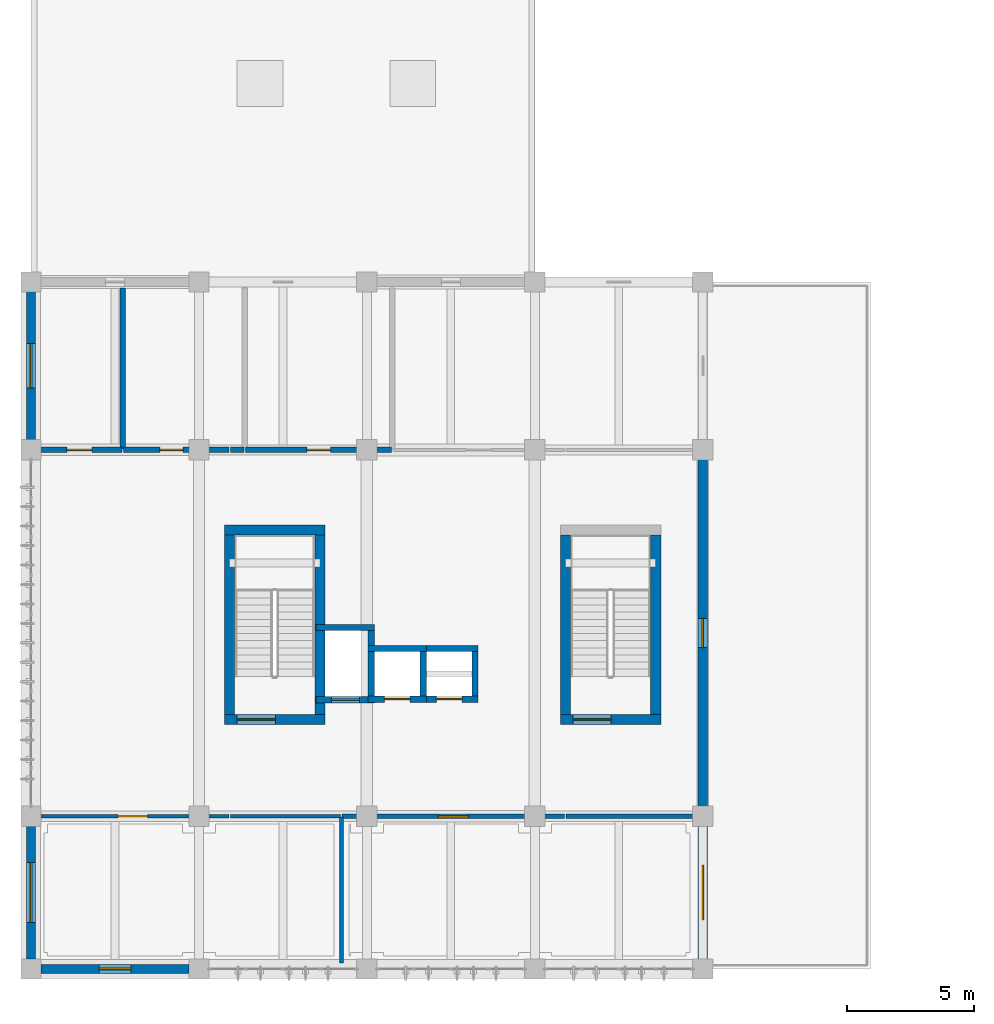
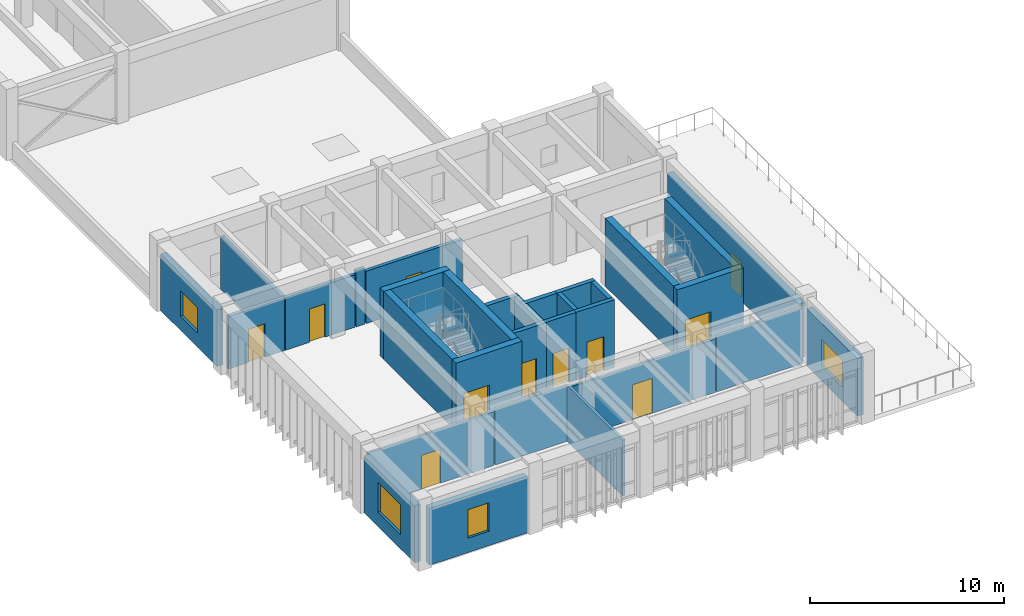
# One storey, part 14 of 18: 31 walls, 11 doors, 4 windows, 15 openings.
"""IFC4 building model written with IfcOpenShell, lengths in metres."""

from ifc_helpers import new_model, si_unit, direction, frame, frame_2d, origin, place, context, subcontext, project, spatial, rectangle, extrude, material, layer, layer_set, type_object, element, fill, save


model = new_model("IFC4")

# Units and contexts
model_context = context("Model", 3, precision=1e-05, world=origin(), true_north=direction((0.0, 1.0)))
body_context = subcontext(model_context, "Body", "Model", "MODEL_VIEW")
ifc_project = project(units=[si_unit("LENGTHUNIT", "METRE"), si_unit("AREAUNIT", "SQUARE_METRE"), si_unit("VOLUMEUNIT", "CUBIC_METRE"), si_unit("PLANEANGLEUNIT", "RADIAN"), si_unit("MASSUNIT", "GRAM", prefix="KILO")], contexts=[model_context])

# Site, building, storey
site_placement = place(None, origin())
site = spatial("IfcSite", under=ifc_project, at=site_placement, CompositionType="ELEMENT")
building_placement = place(site_placement, origin())
building = spatial("IfcBuilding", under=site, at=building_placement, Name="Miralva Faculty of Natural Sciences", CompositionType="ELEMENT")
storey_placement = place(building_placement, frame((0.0, 0.0, 28.5)))
storey = spatial("IfcBuildingStorey", under=building, at=storey_placement, Name="L06", CompositionType="ELEMENT", Elevation=28.5)

# Wall, opening, door
ifc_material_1 = material(Name="Concrete C50/60", Category="concrete")
ifc_layer_1 = layer(ifc_material_1, 0.39990234375, Name="WL-CW01")
ifc_layer_set_1 = layer_set([ifc_layer_1], Name="Concrete C50/60")
wall_type_1 = type_object("IfcWallType", Name="WL-CW01", PredefinedType="SHEAR", material=ifc_layer_set_1)
wall_1_placement = place(storey_placement, frame((10.60009765625, 12.800048828125, 0.0), z_axis=(0.0, 0.0, 1.0), x_axis=(1.0, 0.0, 0.0)))
wall_1 = element("IfcWall", 1, at=wall_1_placement, inside=storey, type_object=wall_type_1, Name="Core C1 shear wall south L06", PredefinedType="SHEAR", context=body_context, shape_type="SweptSolid", body=[
    extrude(rectangle(XDim=3.949951171875, YDim=0.39990234375, at=frame_2d((1.97509765625, 0.0))), origin(), (0.0, 0.0, 1.0), 4.280029296875),
])
opening_1_placement = place(wall_1_placement, frame((0.5, 0.0, 0.0)))
opening_1 = element("IfcOpeningElement", 2, at=opening_1_placement, cuts=wall_1, Name="Opening D-11", PredefinedType="OPENING", context=body_context, shape_type="SweptSolid", body=[
    extrude(rectangle(XDim=1.5, YDim=2.199951171875, at=frame_2d((0.75, 1.10009765625))), frame((0.0, 0.2099609375, 0.0), z_axis=(0.0, -1.0, 0.0), x_axis=(1.0, 0.0, 0.0)), (0.0, 0.0, 1.0), 0.419921875),
])
ifc_material_2 = material(Name="Galvanised steel", Category="steel")
door_type_1 = type_object("IfcDoorType", Name="DR-DI11", OperationType="DOUBLE_DOOR_SINGLE_SWING", PredefinedType="DOOR", material=ifc_material_2)
door_1_placement = place(opening_1_placement, frame((1.5, 0.0, 0.0), z_axis=(0.0, 0.0, 1.0), x_axis=(-1.0, 0.0, 0.0)))
door_1 = element("IfcDoor", 3, at=door_1_placement, inside=storey, type_object=door_type_1, Name="Protected exit stair door Core C1 L06", OperationType="DOUBLE_DOOR_SINGLE_SWING", OverallHeight=2.199951171875, OverallWidth=1.5, PredefinedType="DOOR", context=body_context, shape_type="SweptSolid", body=[
    extrude(rectangle(XDim=1.5, YDim=2.199951171875, at=frame_2d((0.75, 1.10009765625))), frame((0.0, 0.02490234375, 0.0), z_axis=(0.0, -1.0, 0.0), x_axis=(1.0, 0.0, 0.0)), (0.0, 0.0, 1.0), 0.050048828125),
])
fill(opening_1, door_1)

# Walls
wall_2_placement = place(storey_placement, frame((10.60009765625, 20.25, 0.0), z_axis=(0.0, 0.0, 1.0), x_axis=(1.0, 0.0, 0.0)))
element("IfcWall", 4, at=wall_2_placement, inside=storey, type_object=wall_type_1, Name="Core C1 shear wall north L06", PredefinedType="SHEAR", context=body_context, shape_type="SweptSolid", body=[
    extrude(rectangle(XDim=3.949951171875, YDim=0.39990234375, at=frame_2d((1.97509765625, 0.0))), origin(), (0.0, 0.0, 1.0), 4.280029296875),
])
for number, where, z_axis, x_axis, name in (
    (5, (10.800048828125, 13.0, 0.0), (0.0, 0.0, 1.0), (0.0, 1.0, 0.0), "Core C1 shear wall west L06"),
    (6, (14.35009765625, 13.0, 0.0), (0.0, 0.0, 1.0), (0.0, 1.0, 0.0), "Core C1 shear wall east L06"),
):
    element("IfcWall", number, at=place(storey_placement, frame(where, z_axis=z_axis, x_axis=x_axis)), inside=storey, type_object=wall_type_1, Name=name, PredefinedType="SHEAR", context=body_context, shape_type="SweptSolid", body=[
        extrude(rectangle(XDim=7.050048828125, YDim=0.39990234375, at=frame_2d((3.52490234375, 0.0))), origin(), (0.0, 0.0, 1.0), 4.280029296875),
    ])

# Wall, opening, door
wall_3_placement = place(storey_placement, frame((23.800048828125, 12.800048828125, 0.0), z_axis=(0.0, 0.0, 1.0), x_axis=(1.0, 0.0, 0.0)))
wall_3 = element("IfcWall", 7, at=wall_3_placement, inside=storey, type_object=wall_type_1, Name="Core C1B shear wall south L06", PredefinedType="SHEAR", context=body_context, shape_type="SweptSolid", body=[
    extrude(rectangle(XDim=3.949951171875, YDim=0.39990234375, at=frame_2d((1.97509765625, 0.0))), origin(), (0.0, 0.0, 1.0), 4.280029296875),
])
opening_2_placement = place(wall_3_placement, frame((0.5, 0.0, 0.0)))
opening_2 = element("IfcOpeningElement", 8, at=opening_2_placement, cuts=wall_3, Name="Opening D-11", PredefinedType="OPENING", context=body_context, shape_type="SweptSolid", body=[
    extrude(rectangle(XDim=1.5, YDim=2.199951171875, at=frame_2d((0.75, 1.10009765625))), frame((0.0, 0.2099609375, 0.0), z_axis=(0.0, -1.0, 0.0), x_axis=(1.0, 0.0, 0.0)), (0.0, 0.0, 1.0), 0.419921875),
])
door_2_placement = place(opening_2_placement, frame((1.5, 0.0, 0.0), z_axis=(0.0, 0.0, 1.0), x_axis=(-1.0, 0.0, 0.0)))
door_2 = element("IfcDoor", 9, at=door_2_placement, inside=storey, type_object=door_type_1, Name="Protected exit stair door Core C1B L06", OperationType="DOUBLE_DOOR_SINGLE_SWING", OverallHeight=2.199951171875, OverallWidth=1.5, PredefinedType="DOOR", context=body_context, shape_type="SweptSolid", body=[
    extrude(rectangle(XDim=1.5, YDim=2.199951171875, at=frame_2d((0.75, 1.10009765625))), frame((0.0, 0.02490234375, 0.0), z_axis=(0.0, -1.0, 0.0), x_axis=(1.0, 0.0, 0.0)), (0.0, 0.0, 1.0), 0.050048828125),
])
fill(opening_2, door_2)

# Walls
for number, where, z_axis, x_axis, name in (
    (10, (24.0, 13.0, 0.0), (0.0, 0.0, 1.0), (0.0, 1.0, 0.0), "Core C1B shear wall west L06"),
    (11, (27.550048828125, 13.0, 0.0), (0.0, 0.0, 1.0), (0.0, 1.0, 0.0), "Core C1B shear wall east L06"),
):
    element("IfcWall", number, at=place(storey_placement, frame(where, z_axis=z_axis, x_axis=x_axis)), inside=storey, type_object=wall_type_1, Name=name, PredefinedType="SHEAR", context=body_context, shape_type="SweptSolid", body=[
        extrude(rectangle(XDim=7.050048828125, YDim=0.39990234375, at=frame_2d((3.52490234375, 0.0))), origin(), (0.0, 0.0, 1.0), 4.280029296875),
    ])

# Wall, opening, door
ifc_material_3 = material(Name="Concrete C40/50", Category="concrete")
ifc_layer_2 = layer(ifc_material_3, 0.25, Name="WL-CW04")
ifc_layer_set_2 = layer_set([ifc_layer_2], Name="Concrete C40/50")
wall_type_2 = type_object("IfcWallType", Name="WL-CW04", PredefinedType="SHEAR", material=ifc_layer_set_2)
wall_4_placement = place(storey_placement, frame((14.205078125, 13.580078125, 0.0), z_axis=(0.0, 0.0, 1.0), x_axis=(1.0, 0.0, 0.0)))
wall_4 = element("IfcWall", 12, at=wall_4_placement, inside=storey, type_object=wall_type_2, Name="Lift L-01 hoistway front wall L06", PredefinedType="SHEAR", context=body_context, shape_type="SweptSolid", body=[
    extrude(rectangle(XDim=2.2900390625, YDim=0.25, at=frame_2d((1.14501953125, 0.0))), origin(), (0.0, 0.0, 1.0), 4.260009765625),
])
opening_3_placement = place(wall_4_placement, frame((0.594970703125, 0.0, 0.0)))
opening_3 = element("IfcOpeningElement", 13, at=opening_3_placement, cuts=wall_4, Name="Opening LD-01", PredefinedType="OPENING", context=body_context, shape_type="SweptSolid", body=[
    extrude(rectangle(XDim=1.10009765625, YDim=2.199951171875, at=frame_2d((0.550048828125, 1.10009765625))), frame((0.0, 0.135009765625, 0.0), z_axis=(0.0, -1.0, 0.0), x_axis=(1.0, 0.0, 0.0)), (0.0, 0.0, 1.0), 0.27001953125),
])
door_type_2 = type_object("IfcDoorType", Name="DR-LD01", OperationType="SLIDING_TO_LEFT", PredefinedType="DOOR", material=ifc_material_2)
door_3_placement = place(opening_3_placement, frame((1.10009765625, 0.0, 0.0), z_axis=(0.0, 0.0, 1.0), x_axis=(-1.0, 0.0, 0.0)))
door_3 = element("IfcDoor", 14, at=door_3_placement, inside=storey, type_object=door_type_2, Name="Lift L-01 sliding landing door L06", OperationType="SLIDING_TO_LEFT", OverallHeight=2.199951171875, OverallWidth=1.10009765625, PredefinedType="DOOR", context=body_context, shape_type="SweptSolid", body=[
    extrude(rectangle(XDim=1.10009765625, YDim=2.199951171875, at=frame_2d((0.550048828125, 1.10009765625))), frame((0.0, 0.02490234375, 0.0), z_axis=(0.0, -1.0, 0.0), x_axis=(1.0, 0.0, 0.0)), (0.0, 0.0, 1.0), 0.050048828125),
])
fill(opening_3, door_3)

# Walls
wall_5_placement = place(storey_placement, frame((14.205078125, 16.419921875, 0.0), z_axis=(0.0, 0.0, 1.0), x_axis=(1.0, 0.0, 0.0)))
element("IfcWall", 15, at=wall_5_placement, inside=storey, type_object=wall_type_2, Name="Lift L-01 hoistway rear wall L06", PredefinedType="SHEAR", context=body_context, shape_type="SweptSolid", body=[
    extrude(rectangle(XDim=2.2900390625, YDim=0.25, at=frame_2d((1.14501953125, 0.0))), origin(), (0.0, 0.0, 1.0), 4.260009765625),
])
wall_6_placement = place(storey_placement, frame((16.3701171875, 13.705078125, 0.0), z_axis=(0.0, 0.0, 1.0), x_axis=(0.0, 1.0, 0.0)))
element("IfcWall", 16, at=wall_6_placement, inside=storey, type_object=wall_type_2, Name="Lift L-01 hoistway E wall L06", PredefinedType="SHEAR", context=body_context, shape_type="SweptSolid", body=[
    extrude(rectangle(XDim=2.58984375, YDim=0.25, at=frame_2d((1.294921875, 0.0))), origin(), (0.0, 0.0, 1.0), 4.260009765625),
])

# Wall, opening, door
wall_7_placement = place(storey_placement, frame((16.2451171875, 13.60498046875, 0.0), z_axis=(0.0, 0.0, 1.0), x_axis=(1.0, 0.0, 0.0)))
wall_7 = element("IfcWall", 17, at=wall_7_placement, inside=storey, type_object=wall_type_2, Name="Lift L-02 hoistway front wall L06", PredefinedType="SHEAR", context=body_context, shape_type="SweptSolid", body=[
    extrude(rectangle(XDim=2.289794921875, YDim=0.25, at=frame_2d((1.14501953125, 0.0))), origin(), (0.0, 0.0, 1.0), 4.260009765625),
])
opening_4_placement = place(wall_7_placement, frame((0.64501953125, 0.0, 0.0)))
opening_4 = element("IfcOpeningElement", 18, at=opening_4_placement, cuts=wall_7, Name="Opening LD-02", PredefinedType="OPENING", context=body_context, shape_type="SweptSolid", body=[
    extrude(rectangle(XDim=1.0, YDim=2.14990234375, at=frame_2d((0.5, 1.074951171875))), frame((0.0, 0.135009765625, 0.0), z_axis=(0.0, -1.0, 0.0), x_axis=(1.0, 0.0, 0.0)), (0.0, 0.0, 1.0), 0.27001953125),
])
door_type_3 = type_object("IfcDoorType", Name="DR-LD02", OperationType="SLIDING_TO_LEFT", PredefinedType="DOOR", material=ifc_material_2)
door_4_placement = place(opening_4_placement, frame((1.0, 0.0, 0.0), z_axis=(0.0, 0.0, 1.0), x_axis=(-1.0, 0.0, 0.0)))
door_4 = element("IfcDoor", 19, at=door_4_placement, inside=storey, type_object=door_type_3, Name="Lift L-02 sliding landing door L06", OperationType="SLIDING_TO_LEFT", OverallHeight=2.14990234375, OverallWidth=1.0, PredefinedType="DOOR", context=body_context, shape_type="SweptSolid", body=[
    extrude(rectangle(XDim=1.0, YDim=2.14990234375, at=frame_2d((0.5, 1.074951171875))), frame((0.0, 0.02490234375, 0.0), z_axis=(0.0, -1.0, 0.0), x_axis=(1.0, 0.0, 0.0)), (0.0, 0.0, 1.0), 0.050048828125),
])
fill(opening_4, door_4)

# Walls
wall_8_placement = place(storey_placement, frame((16.2451171875, 15.594970703125, 0.0), z_axis=(0.0, 0.0, 1.0), x_axis=(1.0, 0.0, 0.0)))
element("IfcWall", 20, at=wall_8_placement, inside=storey, type_object=wall_type_2, Name="Lift L-02 hoistway rear wall L06", PredefinedType="SHEAR", context=body_context, shape_type="SweptSolid", body=[
    extrude(rectangle(XDim=2.289794921875, YDim=0.25, at=frame_2d((1.14501953125, 0.0))), origin(), (0.0, 0.0, 1.0), 4.260009765625),
])
wall_9_placement = place(storey_placement, frame((18.409912109375, 13.72998046875, 0.0), z_axis=(0.0, 0.0, 1.0), x_axis=(0.0, 1.0, 0.0)))
element("IfcWall", 21, at=wall_9_placement, inside=storey, type_object=wall_type_2, Name="Lift L-02 hoistway E wall L06", PredefinedType="SHEAR", context=body_context, shape_type="SweptSolid", body=[
    extrude(rectangle(XDim=1.739990234375, YDim=0.25, at=frame_2d((0.8701171875, 0.0))), origin(), (0.0, 0.0, 1.0), 4.260009765625),
])

# Wall, opening, door
wall_10_placement = place(storey_placement, frame((18.284912109375, 13.60498046875, 0.0), z_axis=(0.0, 0.0, 1.0), x_axis=(1.0, 0.0, 0.0)))
wall_10 = element("IfcWall", 22, at=wall_10_placement, inside=storey, type_object=wall_type_2, Name="Lift L-03 hoistway front wall L06", PredefinedType="SHEAR", context=body_context, shape_type="SweptSolid", body=[
    extrude(rectangle(XDim=2.2900390625, YDim=0.25, at=frame_2d((1.14501953125, 0.0))), origin(), (0.0, 0.0, 1.0), 4.260009765625),
])
opening_5_placement = place(wall_10_placement, frame((0.64501953125, 0.0, 0.0)))
opening_5 = element("IfcOpeningElement", 23, at=opening_5_placement, cuts=wall_10, Name="Opening LD-02", PredefinedType="OPENING", context=body_context, shape_type="SweptSolid", body=[
    extrude(rectangle(XDim=1.0, YDim=2.14990234375, at=frame_2d((0.5, 1.074951171875))), frame((0.0, 0.135009765625, 0.0), z_axis=(0.0, -1.0, 0.0), x_axis=(1.0, 0.0, 0.0)), (0.0, 0.0, 1.0), 0.27001953125),
])
door_5_placement = place(opening_5_placement, frame((1.0, 0.0, 0.0), z_axis=(0.0, 0.0, 1.0), x_axis=(-1.0, 0.0, 0.0)))
door_5 = element("IfcDoor", 24, at=door_5_placement, inside=storey, type_object=door_type_3, Name="Lift L-03 sliding landing door L06", OperationType="SLIDING_TO_LEFT", OverallHeight=2.14990234375, OverallWidth=1.0, PredefinedType="DOOR", context=body_context, shape_type="SweptSolid", body=[
    extrude(rectangle(XDim=1.0, YDim=2.14990234375, at=frame_2d((0.5, 1.074951171875))), frame((0.0, 0.02490234375, 0.0), z_axis=(0.0, -1.0, 0.0), x_axis=(1.0, 0.0, 0.0)), (0.0, 0.0, 1.0), 0.050048828125),
])
fill(opening_5, door_5)

# Walls
wall_11_placement = place(storey_placement, frame((18.284912109375, 15.594970703125, 0.0), z_axis=(0.0, 0.0, 1.0), x_axis=(1.0, 0.0, 0.0)))
element("IfcWall", 25, at=wall_11_placement, inside=storey, type_object=wall_type_2, Name="Lift L-03 hoistway rear wall L06", PredefinedType="SHEAR", context=body_context, shape_type="SweptSolid", body=[
    extrude(rectangle(XDim=2.2900390625, YDim=0.25, at=frame_2d((1.14501953125, 0.0))), origin(), (0.0, 0.0, 1.0), 4.260009765625),
])
wall_12_placement = place(storey_placement, frame((20.449951171875, 13.72998046875, 0.0), z_axis=(0.0, 0.0, 1.0), x_axis=(0.0, 1.0, 0.0)))
element("IfcWall", 26, at=wall_12_placement, inside=storey, type_object=wall_type_2, Name="Lift L-03 hoistway E wall L06", PredefinedType="SHEAR", context=body_context, shape_type="SweptSolid", body=[
    extrude(rectangle(XDim=1.739990234375, YDim=0.25, at=frame_2d((0.8701171875, 0.0))), origin(), (0.0, 0.0, 1.0), 4.260009765625),
])
ifc_material_4 = material(Name="Gypsum plasterboard")
ifc_layer_3 = layer(ifc_material_4, 0.159912109375, Name="WL-PT03")
ifc_layer_set_3 = layer_set([ifc_layer_3], Name="Gypsum plasterboard")
wall_type_3 = type_object("IfcWallType", Name="WL-PT03", PredefinedType="PARTITIONING", material=ifc_layer_set_3)
wall_13_placement = place(storey_placement, frame((15.199951171875, 3.22998046875, 0.0), z_axis=(0.0, 0.0, 1.0), x_axis=(0.0, 1.0, 0.0)))
element("IfcWall", 27, at=wall_13_placement, inside=storey, type_object=wall_type_3, Name="Interior partition PT-03 L06-488", PredefinedType="PARTITIONING", context=body_context, shape_type="SweptSolid", body=[
    extrude(rectangle(XDim=5.739990234375, YDim=0.159912109375, at=frame_2d((2.8701171875, 0.0))), origin(), (0.0, 0.0, 1.0), 3.52490234375),
])
wall_14_placement = place(storey_placement, frame((24.030029296875, 9.0, 0.0), z_axis=(0.0, 0.0, 1.0), x_axis=(1.0, 0.0, 0.0)))
element("IfcWall", 28, at=wall_14_placement, inside=storey, type_object=wall_type_3, Name="Interior partition PT-03 L06-491", PredefinedType="PARTITIONING", context=body_context, shape_type="SweptSolid", body=[
    extrude(rectangle(XDim=5.139892578125, YDim=0.159912109375, at=frame_2d((2.56982421875, 0.0))), origin(), (0.0, 0.0, 1.0), 3.52490234375),
])

# Wall, opening, door
wall_15_placement = place(storey_placement, frame((15.22998046875, 9.0, 0.0), z_axis=(0.0, 0.0, 1.0), x_axis=(1.0, 0.0, 0.0)))
wall_15 = element("IfcWall", 29, at=wall_15_placement, inside=storey, type_object=wall_type_3, Name="Interior partition PT-03 L06-492", PredefinedType="PARTITIONING", context=body_context, shape_type="SweptSolid", body=[
    extrude(rectangle(XDim=8.739990234375, YDim=0.159912109375, at=frame_2d((4.3701171875, 0.0))), origin(), (0.0, 0.0, 1.0), 3.35498046875),
])
opening_6_placement = place(wall_15_placement, frame((3.780029296875, 0.0, 0.0)))
opening_6 = element("IfcOpeningElement", 30, at=opening_6_placement, cuts=wall_15, Name="Opening D-34", PredefinedType="OPENING", context=body_context, shape_type="SweptSolid", body=[
    extrude(rectangle(XDim=1.179931640625, YDim=2.199951171875, at=frame_2d((0.58984375, 1.10009765625))), frame((0.0, 0.08984375, 0.0), z_axis=(0.0, -1.0, 0.0), x_axis=(1.0, 0.0, 0.0)), (0.0, 0.0, 1.0), 0.179931640625),
])
ifc_material_5 = material(Name="Anodised aluminium", Category="aluminium")
door_type_4 = type_object("IfcDoorType", Name="DR-DI34", OperationType="NOTDEFINED", PredefinedType="DOOR", material=ifc_material_5)
door_6_placement = place(opening_6_placement, origin())
door_6 = element("IfcDoor", 31, at=door_6_placement, inside=storey, type_object=door_type_4, Name="Interior door D-34 L06-182", OperationType="SINGLE_SWING_LEFT", OverallHeight=2.199951171875, OverallWidth=1.179931640625, PredefinedType="DOOR", context=body_context, shape_type="SweptSolid", body=[
    extrude(rectangle(XDim=1.179931640625, YDim=2.199951171875, at=frame_2d((0.58984375, 1.10009765625))), frame((0.0, 0.02490234375, 0.0), z_axis=(0.0, -1.0, 0.0), x_axis=(1.0, 0.0, 0.0)), (0.0, 0.0, 1.0), 0.050048828125),
])
fill(opening_6, door_6)

ifc_layer_4 = layer(ifc_material_4, 0.139892578125, Name="WL-PT04")
ifc_layer_set_4 = layer_set([ifc_layer_4], Name="Gypsum plasterboard")
wall_type_4 = type_object("IfcWallType", Name="WL-PT04", PredefinedType="PARTITIONING", material=ifc_layer_set_4)
wall_16_placement = place(storey_placement, frame((3.22998046875, 9.0, 0.0), z_axis=(0.0, 0.0, 1.0), x_axis=(1.0, 0.0, 0.0)))
wall_16 = element("IfcWall", 32, at=wall_16_placement, inside=storey, type_object=wall_type_4, Name="Interior partition PT-04 L06-489", PredefinedType="PARTITIONING", context=body_context, shape_type="SweptSolid", body=[
    extrude(rectangle(XDim=7.5400390625, YDim=0.139892578125, at=frame_2d((3.77001953125, 0.0))), origin(), (0.0, 0.0, 1.0), 3.4150390625),
])
opening_7_placement = place(wall_16_placement, frame((3.195068359375, 0.0, 0.0)))
opening_7 = element("IfcOpeningElement", 33, at=opening_7_placement, cuts=wall_16, Name="Opening D-24", PredefinedType="OPENING", context=body_context, shape_type="SweptSolid", body=[
    extrude(rectangle(XDim=1.14990234375, YDim=2.14990234375, at=frame_2d((0.574951171875, 1.074951171875))), frame((0.0, 0.079833984375, 0.0), z_axis=(0.0, -1.0, 0.0), x_axis=(1.0, 0.0, 0.0)), (0.0, 0.0, 1.0), 0.159912109375),
])
door_type_5 = type_object("IfcDoorType", Name="DR-DI24", OperationType="NOTDEFINED", PredefinedType="DOOR", material=ifc_material_5)
door_7_placement = place(opening_7_placement, origin())
door_7 = element("IfcDoor", 34, at=door_7_placement, inside=storey, type_object=door_type_5, Name="Interior door D-24 L06-181", OperationType="SINGLE_SWING_RIGHT", OverallHeight=2.14990234375, OverallWidth=1.14990234375, PredefinedType="DOOR", context=body_context, shape_type="SweptSolid", body=[
    extrude(rectangle(XDim=1.14990234375, YDim=2.14990234375, at=frame_2d((0.574951171875, 1.074951171875))), frame((0.0, 0.02490234375, 0.0), z_axis=(0.0, -1.0, 0.0), x_axis=(1.0, 0.0, 0.0)), (0.0, 0.0, 1.0), 0.050048828125),
])
fill(opening_7, door_7)

# Walls
wall_17_placement = place(storey_placement, frame((10.830078125, 9.0, 0.0), z_axis=(0.0, 0.0, 1.0), x_axis=(1.0, 0.0, 0.0)))
element("IfcWall", 35, at=wall_17_placement, inside=storey, type_object=wall_type_4, Name="Interior partition PT-04 L06-490", PredefinedType="PARTITIONING", context=body_context, shape_type="SweptSolid", body=[
    extrude(rectangle(XDim=4.33984375, YDim=0.139892578125, at=frame_2d((2.169921875, 0.0))), origin(), (0.0, 0.0, 1.0), 3.52490234375),
])
ifc_layer_5 = layer(ifc_material_4, 0.2099609375, Name="WL-PT06")
ifc_layer_set_5 = layer_set([ifc_layer_5], Name="Gypsum plasterboard")
wall_type_5 = type_object("IfcWallType", Name="WL-PT06", PredefinedType="PLUMBINGWALL", material=ifc_layer_set_5)
wall_18_placement = place(storey_placement, frame((6.60009765625, 23.429931640625, 0.0), z_axis=(0.0, 0.0, 1.0), x_axis=(0.0, 1.0, 0.0)))
element("IfcWall", 36, at=wall_18_placement, inside=storey, type_object=wall_type_5, Name="Interior partition PT-06 L06-493", PredefinedType="PLUMBINGWALL", context=body_context, shape_type="SweptSolid", body=[
    extrude(rectangle(XDim=6.340087890625, YDim=0.2099609375, at=frame_2d((3.169921875, 0.0))), origin(), (0.0, 0.0, 1.0), 3.31494140625),
])

# Wall, opening, door
wall_19_placement = place(storey_placement, frame((3.22998046875, 23.39990234375, 0.0), z_axis=(0.0, 0.0, 1.0), x_axis=(1.0, 0.0, 0.0)))
wall_19 = element("IfcWall", 37, at=wall_19_placement, inside=storey, type_object=wall_type_5, Name="Interior partition PT-06 L06-494", PredefinedType="PLUMBINGWALL", context=body_context, shape_type="SweptSolid", body=[
    extrude(rectangle(XDim=3.340087890625, YDim=0.2099609375, at=frame_2d((1.669921875, 0.0))), origin(), (0.0, 0.0, 1.0), 3.31494140625),
])
opening_8_placement = place(wall_19_placement, frame((1.179931640625, 0.0, 0.0)))
opening_8 = element("IfcOpeningElement", 38, at=opening_8_placement, cuts=wall_19, Name="Opening D-26", PredefinedType="OPENING", context=body_context, shape_type="SweptSolid", body=[
    extrude(rectangle(XDim=0.97998046875, YDim=2.10009765625, at=frame_2d((0.489990234375, 1.050048828125))), frame((0.0, 0.114990234375, 0.0), z_axis=(0.0, -1.0, 0.0), x_axis=(1.0, 0.0, 0.0)), (0.0, 0.0, 1.0), 0.22998046875),
])
door_type_6 = type_object("IfcDoorType", Name="DR-DI26", OperationType="NOTDEFINED", PredefinedType="DOOR", material=ifc_material_5)
door_8_placement = place(opening_8_placement, origin())
door_8 = element("IfcDoor", 39, at=door_8_placement, inside=storey, type_object=door_type_6, Name="Interior door D-26 L06-183", OperationType="SINGLE_SWING_RIGHT", OverallHeight=2.10009765625, OverallWidth=0.97998046875, PredefinedType="DOOR", context=body_context, shape_type="SweptSolid", body=[
    extrude(rectangle(XDim=0.97998046875, YDim=2.10009765625, at=frame_2d((0.489990234375, 1.050048828125))), frame((0.0, 0.02490234375, 0.0), z_axis=(0.0, -1.0, 0.0), x_axis=(1.0, 0.0, 0.0)), (0.0, 0.0, 1.0), 0.050048828125),
])
fill(opening_8, door_8)

wall_20_placement = place(storey_placement, frame((6.6298828125, 23.39990234375, 0.0), z_axis=(0.0, 0.0, 1.0), x_axis=(1.0, 0.0, 0.0)))
wall_20 = element("IfcWall", 40, at=wall_20_placement, inside=storey, type_object=wall_type_5, Name="Interior partition PT-06 L06-496", PredefinedType="PLUMBINGWALL", context=body_context, shape_type="SweptSolid", body=[
    extrude(rectangle(XDim=4.14013671875, YDim=0.2099609375, at=frame_2d((2.070068359375, 0.0))), origin(), (0.0, 0.0, 1.0), 3.31494140625),
])
opening_9_placement = place(wall_20_placement, frame((1.429931640625, 0.0, 0.0)))
opening_9 = element("IfcOpeningElement", 41, at=opening_9_placement, cuts=wall_20, Name="Opening D-27", PredefinedType="OPENING", context=body_context, shape_type="SweptSolid", body=[
    extrude(rectangle(XDim=0.919921875, YDim=2.10009765625, at=frame_2d((0.4599609375, 1.050048828125))), frame((0.0, 0.114990234375, 0.0), z_axis=(0.0, -1.0, 0.0), x_axis=(1.0, 0.0, 0.0)), (0.0, 0.0, 1.0), 0.22998046875),
])
door_type_7 = type_object("IfcDoorType", Name="DR-DI27", OperationType="NOTDEFINED", PredefinedType="DOOR", material=ifc_material_5)
door_9_placement = place(opening_9_placement, origin())
door_9 = element("IfcDoor", 42, at=door_9_placement, inside=storey, type_object=door_type_7, Name="Interior door D-27 L06-184", OperationType="SINGLE_SWING_LEFT", OverallHeight=2.10009765625, OverallWidth=0.919921875, PredefinedType="DOOR", context=body_context, shape_type="SweptSolid", body=[
    extrude(rectangle(XDim=0.919921875, YDim=2.10009765625, at=frame_2d((0.4599609375, 1.050048828125))), frame((0.0, 0.02490234375, 0.0), z_axis=(0.0, -1.0, 0.0), x_axis=(1.0, 0.0, 0.0)), (0.0, 0.0, 1.0), 0.050048828125),
])
fill(opening_9, door_9)

# Wall
wall_21_placement = place(storey_placement, frame((10.830078125, 23.39990234375, 0.0), z_axis=(0.0, 0.0, 1.0), x_axis=(1.0, 0.0, 0.0)))
element("IfcWall", 43, at=wall_21_placement, inside=storey, type_object=wall_type_5, Name="Interior partition PT-06 L06-497", PredefinedType="PLUMBINGWALL", context=body_context, shape_type="SweptSolid", body=[
    extrude(rectangle(XDim=0.5400390625, YDim=0.2099609375, at=frame_2d((0.27001953125, 0.0))), origin(), (0.0, 0.0, 1.0), 3.52490234375),
])

# Wall, opening, door
wall_22_placement = place(storey_placement, frame((11.429931640625, 23.39990234375, 0.0), z_axis=(0.0, 0.0, 1.0), x_axis=(1.0, 0.0, 0.0)))
wall_22 = element("IfcWall", 44, at=wall_22_placement, inside=storey, type_object=wall_type_5, Name="Interior partition PT-06 L06-499", PredefinedType="PLUMBINGWALL", context=body_context, shape_type="SweptSolid", body=[
    extrude(rectangle(XDim=5.739990234375, YDim=0.2099609375, at=frame_2d((2.8701171875, 0.0))), origin(), (0.0, 0.0, 1.0), 3.294921875),
])
opening_10_placement = place(wall_22_placement, frame((2.409912109375, 0.0, 0.0)))
opening_10 = element("IfcOpeningElement", 45, at=opening_10_placement, cuts=wall_22, Name="Opening D-27", PredefinedType="OPENING", context=body_context, shape_type="SweptSolid", body=[
    extrude(rectangle(XDim=0.919921875, YDim=2.10009765625, at=frame_2d((0.4599609375, 1.050048828125))), frame((0.0, 0.114990234375, 0.0), z_axis=(0.0, -1.0, 0.0), x_axis=(1.0, 0.0, 0.0)), (0.0, 0.0, 1.0), 0.22998046875),
])
door_10_placement = place(opening_10_placement, origin())
door_10 = element("IfcDoor", 46, at=door_10_placement, inside=storey, type_object=door_type_7, Name="Interior door D-27 L06-185", OperationType="SINGLE_SWING_RIGHT", OverallHeight=2.10009765625, OverallWidth=0.919921875, PredefinedType="DOOR", context=body_context, shape_type="SweptSolid", body=[
    extrude(rectangle(XDim=0.919921875, YDim=2.10009765625, at=frame_2d((0.4599609375, 1.050048828125))), frame((0.0, 0.02490234375, 0.0), z_axis=(0.0, -1.0, 0.0), x_axis=(1.0, 0.0, 0.0)), (0.0, 0.0, 1.0), 0.050048828125),
])
fill(opening_10, door_10)

# Wall, opening, window
ifc_material_6 = material(Name="Volcanic tuff architectural stone", Category="masonry")
ifc_layer_6 = layer(ifc_material_6, 0.360107421875, Name="WL-WT01")
ifc_layer_set_6 = layer_set([ifc_layer_6], Name="Volcanic tuff architectural stone")
wall_type_6 = type_object("IfcWallType", Name="WL-WT01", PredefinedType="SOLIDWALL", material=ifc_layer_set_6)
wall_23_placement = place(storey_placement, frame((3.385009765625, 3.0, 0.0), z_axis=(0.0, 0.0, 1.0), x_axis=(1.0, 0.0, 0.0)))
wall_23 = element("IfcWall", 47, at=wall_23_placement, inside=storey, type_object=wall_type_6, Name="Exterior wall L06-106", PredefinedType="SOLIDWALL", context=body_context, shape_type="SweptSolid", body=[
    extrude(rectangle(XDim=5.830078125, YDim=0.360107421875, at=frame_2d((2.9150390625, 0.0))), origin(), (0.0, 0.0, 1.0), 3.574951171875),
])
opening_11_placement = place(wall_23_placement, frame((2.2900390625, 0.0, 0.89990234375)))
opening_11 = element("IfcOpeningElement", 48, at=opening_11_placement, cuts=wall_23, Name="Opening W-23", PredefinedType="OPENING", context=body_context, shape_type="SweptSolid", body=[
    extrude(rectangle(XDim=1.25, YDim=1.800048828125, at=frame_2d((0.625, 0.89990234375))), frame((0.0, 0.18994140625, 0.0), z_axis=(0.0, -1.0, 0.0), x_axis=(1.0, 0.0, 0.0)), (0.0, 0.0, 1.0), 0.380126953125),
])
ifc_material_7 = material(Name="Laminated solar-control glass", Category="glass")
window_type_1 = type_object("IfcWindowType", Name="WN-W23", PartitioningType="DOUBLE_PANEL_VERTICAL", PredefinedType="WINDOW", material=ifc_material_7)
window_1_placement = place(opening_11_placement, frame((1.25, 0.0, 0.0), z_axis=(0.0, 0.0, 1.0), x_axis=(-1.0, 0.0, 0.0)))
window_1 = element("IfcWindow", 49, at=window_1_placement, inside=storey, type_object=window_type_1, Name="Window W-23 L06-52", OverallHeight=1.800048828125, OverallWidth=1.25, PartitioningType="DOUBLE_PANEL_VERTICAL", PredefinedType="WINDOW", context=body_context, shape_type="SweptSolid", body=[
    extrude(rectangle(XDim=1.25, YDim=1.800048828125, at=frame_2d((0.625, 0.89990234375))), frame((0.0, 0.030029296875, 0.0), z_axis=(0.0, -1.0, 0.0), x_axis=(1.0, 0.0, 0.0)), (0.0, 0.0, 1.0), 0.06005859375),
])
fill(opening_11, window_1)

wall_24_placement = place(storey_placement, frame((3.0, 3.385009765625, 0.0), z_axis=(0.0, 0.0, 1.0), x_axis=(0.0, 1.0, 0.0)))
wall_24 = element("IfcWall", 50, at=wall_24_placement, inside=storey, type_object=wall_type_6, Name="Exterior wall L06-107", PredefinedType="SOLIDWALL", context=body_context, shape_type="SweptSolid", body=[
    extrude(rectangle(XDim=5.22998046875, YDim=0.360107421875, at=frame_2d((2.614990234375, 0.0))), origin(), (0.0, 0.0, 1.0), 3.574951171875),
])
opening_12_placement = place(wall_24_placement, frame((1.43994140625, 0.0, 0.89990234375)))
opening_12 = element("IfcOpeningElement", 51, at=opening_12_placement, cuts=wall_24, Name="Opening W-30", PredefinedType="OPENING", context=body_context, shape_type="SweptSolid", body=[
    extrude(rectangle(XDim=2.35009765625, YDim=1.89990234375, at=frame_2d((1.175048828125, 0.949951171875))), frame((0.0, 0.18994140625, 0.0), z_axis=(0.0, -1.0, 0.0), x_axis=(1.0, 0.0, 0.0)), (0.0, 0.0, 1.0), 0.380126953125),
])
window_type_2 = type_object("IfcWindowType", Name="WN-W30", PartitioningType="DOUBLE_PANEL_VERTICAL", PredefinedType="WINDOW", material=ifc_material_7)
window_2_placement = place(opening_12_placement, origin())
window_2 = element("IfcWindow", 52, at=window_2_placement, inside=storey, type_object=window_type_2, Name="Window W-30 L06-53", OverallHeight=1.89990234375, OverallWidth=2.35009765625, PartitioningType="DOUBLE_PANEL_VERTICAL", PredefinedType="WINDOW", context=body_context, shape_type="SweptSolid", body=[
    extrude(rectangle(XDim=2.35009765625, YDim=1.89990234375, at=frame_2d((1.175048828125, 0.949951171875))), frame((0.0, 0.030029296875, 0.0), z_axis=(0.0, -1.0, 0.0), x_axis=(1.0, 0.0, 0.0)), (0.0, 0.0, 1.0), 0.06005859375),
])
fill(opening_12, window_2)

wall_25_placement = place(storey_placement, frame((3.0, 23.784912109375, 0.0), z_axis=(0.0, 0.0, 1.0), x_axis=(0.0, 1.0, 0.0)))
wall_25 = element("IfcWall", 53, at=wall_25_placement, inside=storey, type_object=wall_type_6, Name="Exterior wall L06-108", PredefinedType="SOLIDWALL", context=body_context, shape_type="SweptSolid", body=[
    extrude(rectangle(XDim=5.830078125, YDim=0.360107421875, at=frame_2d((2.9150390625, 0.0))), origin(), (0.0, 0.0, 1.0), 3.574951171875),
])
opening_13_placement = place(wall_25_placement, frame((2.0400390625, 0.0, 0.89990234375)))
opening_13 = element("IfcOpeningElement", 54, at=opening_13_placement, cuts=wall_25, Name="Opening W-38", PredefinedType="OPENING", context=body_context, shape_type="SweptSolid", body=[
    extrude(rectangle(XDim=1.75, YDim=1.60009765625, at=frame_2d((0.875, 0.800048828125))), frame((0.0, 0.18994140625, 0.0), z_axis=(0.0, -1.0, 0.0), x_axis=(1.0, 0.0, 0.0)), (0.0, 0.0, 1.0), 0.380126953125),
])
window_type_3 = type_object("IfcWindowType", Name="WN-W38", PartitioningType="DOUBLE_PANEL_VERTICAL", PredefinedType="WINDOW", material=ifc_material_7)
window_3_placement = place(opening_13_placement, origin())
window_3 = element("IfcWindow", 55, at=window_3_placement, inside=storey, type_object=window_type_3, Name="Window W-38 L06-54", OverallHeight=1.60009765625, OverallWidth=1.75, PartitioningType="DOUBLE_PANEL_VERTICAL", PredefinedType="WINDOW", context=body_context, shape_type="SweptSolid", body=[
    extrude(rectangle(XDim=1.75, YDim=1.60009765625, at=frame_2d((0.875, 0.800048828125))), frame((0.0, 0.030029296875, 0.0), z_axis=(0.0, -1.0, 0.0), x_axis=(1.0, 0.0, 0.0)), (0.0, 0.0, 1.0), 0.06005859375),
])
fill(opening_13, window_3)

wall_26_placement = place(storey_placement, frame((29.39990234375, 3.385009765625, 0.0), z_axis=(0.0, 0.0, 1.0), x_axis=(0.0, 1.0, 0.0)))
wall_26 = element("IfcWall", 56, at=wall_26_placement, inside=storey, type_object=wall_type_6, Name="Exterior wall L06-109", PredefinedType="SOLIDWALL", context=body_context, shape_type="SweptSolid", body=[
    extrude(rectangle(XDim=5.22998046875, YDim=0.360107421875, at=frame_2d((2.614990234375, 0.0))), origin(), (0.0, 0.0, 1.0), 3.625),
])
opening_14_placement = place(wall_26_placement, frame((1.5400390625, 0.0, 0.89990234375)))
opening_14 = element("IfcOpeningElement", 57, at=opening_14_placement, cuts=wall_26, Name="Opening W-39", PredefinedType="OPENING", context=body_context, shape_type="SweptSolid", body=[
    extrude(rectangle(XDim=2.14990234375, YDim=1.699951171875, at=frame_2d((1.074951171875, 0.85009765625))), frame((0.0, 0.18994140625, 0.0), z_axis=(0.0, -1.0, 0.0), x_axis=(1.0, 0.0, 0.0)), (0.0, 0.0, 1.0), 0.380126953125),
])
window_type_4 = type_object("IfcWindowType", Name="WN-W39", PartitioningType="DOUBLE_PANEL_VERTICAL", PredefinedType="WINDOW", material=ifc_material_7)
window_4_placement = place(opening_14_placement, frame((2.14990234375, 0.0, 0.0), z_axis=(0.0, 0.0, 1.0), x_axis=(-1.0, 0.0, 0.0)))
window_4 = element("IfcWindow", 58, at=window_4_placement, inside=storey, type_object=window_type_4, Name="Window W-39 L06-55", OverallHeight=1.699951171875, OverallWidth=2.14990234375, PartitioningType="DOUBLE_PANEL_VERTICAL", PredefinedType="WINDOW", context=body_context, shape_type="SweptSolid", body=[
    extrude(rectangle(XDim=2.14990234375, YDim=1.699951171875, at=frame_2d((1.074951171875, 0.85009765625))), frame((0.0, 0.030029296875, 0.0), z_axis=(0.0, -1.0, 0.0), x_axis=(1.0, 0.0, 0.0)), (0.0, 0.0, 1.0), 0.06005859375),
])
fill(opening_14, window_4)

# Wall, opening, door
wall_27_placement = place(storey_placement, frame((29.39990234375, 9.385009765625, 0.0), z_axis=(0.0, 0.0, 1.0), x_axis=(0.0, 1.0, 0.0)))
wall_27 = element("IfcWall", 59, at=wall_27_placement, inside=storey, type_object=wall_type_6, Name="Exterior wall L06-110", PredefinedType="SOLIDWALL", context=body_context, shape_type="SweptSolid", body=[
    extrude(rectangle(XDim=13.6298828125, YDim=0.360107421875, at=frame_2d((6.81494140625, 0.0))), origin(), (0.0, 0.0, 1.0), 3.425048828125),
])
opening_15_placement = place(wall_27_placement, frame((6.239990234375, 0.0, 0.0)))
opening_15 = element("IfcOpeningElement", 60, at=opening_15_placement, cuts=wall_27, Name="Opening D-05", PredefinedType="OPENING", context=body_context, shape_type="SweptSolid", body=[
    extrude(rectangle(XDim=1.14990234375, YDim=2.199951171875, at=frame_2d((0.574951171875, 1.10009765625))), frame((0.0, 0.18994140625, 0.0), z_axis=(0.0, -1.0, 0.0), x_axis=(1.0, 0.0, 0.0)), (0.0, 0.0, 1.0), 0.380126953125),
])
door_type_8 = type_object("IfcDoorType", Name="DR-DE05", OperationType="NOTDEFINED", PredefinedType="DOOR", material=ifc_material_5)
door_11_placement = place(opening_15_placement, frame((1.14990234375, 0.0, 0.0), z_axis=(0.0, 0.0, 1.0), x_axis=(-1.0, 0.0, 0.0)))
door_11 = element("IfcDoor", 61, at=door_11_placement, inside=storey, type_object=door_type_8, Name="Exterior pedestrian exit door D-05 L06-12", OperationType="SINGLE_SWING_LEFT", OverallHeight=2.199951171875, OverallWidth=1.14990234375, PredefinedType="DOOR", context=body_context, shape_type="SweptSolid", body=[
    extrude(rectangle(XDim=1.14990234375, YDim=2.199951171875, at=frame_2d((0.574951171875, 1.10009765625))), frame((0.0, 0.02490234375, 0.0), z_axis=(0.0, -1.0, 0.0), x_axis=(1.0, 0.0, 0.0)), (0.0, 0.0, 1.0), 0.050048828125),
])
fill(opening_15, door_11)

save(model, "model.ifc")
